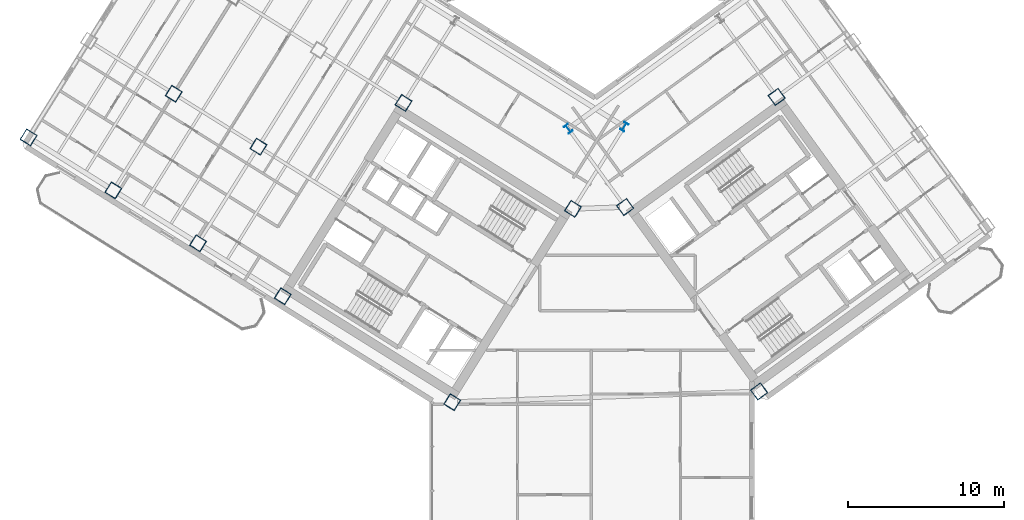
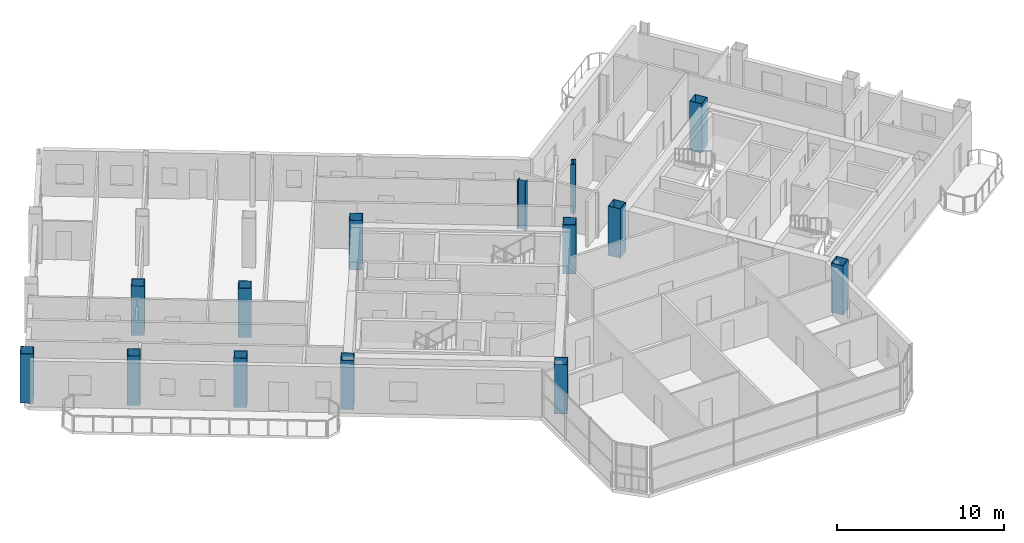
# One storey, part 1 of 20: 14 columns.
"""IFC4 building model written with IfcOpenShell, lengths in metres."""

import ifcopenshell
import ifcopenshell.guid

model = None  # the IFC model being written
_history = None  # IfcOwnerHistory: only IFC2X3 demands one
_inside = {}  # id of a spatial element -> (the spatial element, [elements in it])
_under = {}  # id of a project, library or spatial element -> (it, [spatial elements below it])
_declared = {}  # id of a project -> (the project, [libraries it declares])
_typed = {}  # id of a type object -> (the type object, [elements of that type])
_made_of = {}  # id of a material, layer set ... -> (it, [elements and type objects made of it])


def new_model(schema):
    """Start an empty IFC model of exactly this schema.

    Asked for "IFC4X3", IfcOpenShell would pick the latest addendum, in which some entities
    have other attributes; the version numbers below select the first issue.
    IFC2X3 requires an IfcOwnerHistory on every rooted entity: one is made here for all.
    """
    global model, _history
    if schema == "IFC4X3":
        model = ifcopenshell.file(schema_version=(4, 3, 0, 0))
    else:
        model = ifcopenshell.file(schema=schema)
    _inside.clear()
    _under.clear()
    _declared.clear()
    _typed.clear()
    _made_of.clear()
    _history = None
    if model.schema == "IFC2X3":
        org = make("IfcOrganization", Name="unknown")
        user = make(
            "IfcPersonAndOrganization",
            ThePerson=make("IfcPerson", FamilyName="unknown"),
            TheOrganization=org,
        )
        app = make(
            "IfcApplication",
            ApplicationDeveloper=org,
            Version="unknown",
            ApplicationFullName="unknown",
            ApplicationIdentifier="unknown",
        )
        _history = make(
            "IfcOwnerHistory",
            OwningUser=user,
            OwningApplication=app,
            ChangeAction="ADDED",
            CreationDate=0,
        )
    return model


def make(cls, **values):
    """One entity of the class cls with the attributes given. An attribute that is None is left unset."""
    return model.create_entity(
        cls, **{name: value for name, value in values.items() if value is not None}
    )


def rooted(cls, **values):
    """An entity with a GlobalId (a new one), such as an element, a storey or a relation."""
    return make(cls, GlobalId=ifcopenshell.guid.new(), OwnerHistory=_history, **values)


def si_unit(unit_type, name, prefix=None):
    """IfcSIUnit, for example si_unit("LENGTHUNIT", "METRE", prefix="MILLI")."""
    return make("IfcSIUnit", UnitType=unit_type, Prefix=prefix, Name=name)


def assignment(units):
    """IfcUnitAssignment: the units of a project."""
    return None if units is None else make("IfcUnitAssignment", Units=units)


def point(xyz):
    """IfcCartesianPoint."""
    return None if xyz is None else make("IfcCartesianPoint", Coordinates=xyz)


def direction(xyz):
    """IfcDirection."""
    return None if xyz is None else make("IfcDirection", DirectionRatios=xyz)


def frame(location, z_axis=None, x_axis=None):
    """IfcAxis2Placement3D, a coordinate frame: its origin and axes. An axis left out is left unset."""
    return make(
        "IfcAxis2Placement3D",
        Location=point(location),
        Axis=direction(z_axis),
        RefDirection=direction(x_axis),
    )


def frame_2d(location, x_axis=None):
    """IfcAxis2Placement2D, a coordinate frame in the plane: its origin and x axis."""
    return make(
        "IfcAxis2Placement2D", Location=point(location), RefDirection=direction(x_axis)
    )


def origin():
    """The frame at (0, 0, 0) with its axes left unset."""
    return frame((0.0, 0.0, 0.0))


def origin_2d():
    """The frame at (0, 0) in the plane with its x axis left unset."""
    return frame_2d((0.0, 0.0))


def place(relative_to, where):
    """IfcLocalPlacement: puts the frame where relative to a parent placement (None: the world)."""
    return make(
        "IfcLocalPlacement", PlacementRelTo=relative_to, RelativePlacement=where
    )


def context(
    kind, dimensions, precision=None, world=None, true_north=None, identifier=None
):
    """IfcGeometricRepresentationContext, for example the 3D "Model" context."""
    return make(
        "IfcGeometricRepresentationContext",
        ContextIdentifier=identifier,
        ContextType=kind,
        CoordinateSpaceDimension=dimensions,
        Precision=precision,
        WorldCoordinateSystem=world,
        TrueNorth=true_north,
    )


def subcontext(parent, identifier, kind, view, scale=None):
    """IfcGeometricRepresentationSubContext, for example "Body" below "Model"."""
    return make(
        "IfcGeometricRepresentationSubContext",
        ContextIdentifier=identifier,
        ContextType=kind,
        ParentContext=parent,
        TargetScale=scale,
        TargetView=view,
    )


def project(units=None, contexts=None):
    """IfcProject with its units and contexts."""
    return rooted(
        "IfcProject",
        Name="project",
        RepresentationContexts=contexts,
        UnitsInContext=assignment(units),
    )


def spatial(cls, under=None, at=None, **own):
    """A site, building, storey or space (cls), placed at a placement, below another one or the project."""
    s = rooted(cls, ObjectPlacement=at, **own)
    if under is not None:
        _under.setdefault(under.id(), (under, []))[1].append(s)
    return s


def profile(cls, at=None, kind="AREA", **sizes):
    """A parametric profile (cls). Its sizes go by their IFC names, for example OverallWidth=200.0."""
    return make(cls, ProfileType=kind, Position=at, **sizes)


def hollow_rectangle(**sizes):
    """IfcRectangleHollowProfileDef."""
    return profile("IfcRectangleHollowProfileDef", **sizes)


def i_section(**sizes):
    """IfcIShapeProfileDef."""
    return profile("IfcIShapeProfileDef", **sizes)


def extrude(swept, where, along, depth):
    """IfcExtrudedAreaSolid: the profile swept, set in the frame where, extruded along a direction by depth."""
    return make(
        "IfcExtrudedAreaSolid",
        SweptArea=swept,
        Position=where,
        ExtrudedDirection=direction(along),
        Depth=depth,
    )


def shape(context_of_items, identifier, shape_type, items):
    """IfcShapeRepresentation: the items that make up one representation, for example the "Body"."""
    return make(
        "IfcShapeRepresentation",
        ContextOfItems=context_of_items,
        RepresentationIdentifier=identifier,
        RepresentationType=shape_type,
        Items=items,
    )


def source(mapping_origin, context_of_items, identifier, shape_type, items):
    """IfcRepresentationMap: a shape defined once, which mapped items show again and again."""
    return make(
        "IfcRepresentationMap",
        MappingOrigin=mapping_origin,
        MappedRepresentation=shape(context_of_items, identifier, shape_type, items),
    )


def transform(
    local_origin,
    x_axis=None,
    y_axis=None,
    z_axis=None,
    scale=None,
    scale2=None,
    scale3=None,
    uniform=True,
):
    """IfcCartesianTransformationOperator3D, or its non-uniform kind. x_axis, y_axis, z_axis: its Axis1, 2, 3."""
    if uniform:
        return make(
            "IfcCartesianTransformationOperator3D",
            Axis1=direction(x_axis),
            Axis2=direction(y_axis),
            LocalOrigin=point(local_origin),
            Scale=scale,
            Axis3=direction(z_axis),
        )
    return make(
        "IfcCartesianTransformationOperator3DnonUniform",
        Axis1=direction(x_axis),
        Axis2=direction(y_axis),
        LocalOrigin=point(local_origin),
        Scale=scale,
        Axis3=direction(z_axis),
        Scale2=scale2,
        Scale3=scale3,
    )


def mapped(mapping_source, mapping_target):
    """IfcMappedItem: shows the shape of a source again, moved by a transform."""
    return make(
        "IfcMappedItem", MappingSource=mapping_source, MappingTarget=mapping_target
    )


def material(Name=None, Category=None):
    """IfcMaterial."""
    return make("IfcMaterial", Name=Name, Category=Category)


def material_profile(
    of_material, cross_section, Name=None, Category=None, Priority=None
):
    """IfcMaterialProfile: a cross section and its material."""
    return make(
        "IfcMaterialProfile",
        Name=Name,
        Material=of_material,
        Profile=cross_section,
        Priority=Priority,
        Category=Category,
    )


def profile_set(profiles, Name=None, composite=None):
    """IfcMaterialProfileSet."""
    return make(
        "IfcMaterialProfileSet",
        Name=Name,
        MaterialProfiles=profiles,
        CompositeProfile=composite,
    )


def made_of(thing, what):
    """Note that an element or type object is made of a material, layer set ...; save() writes the relation."""
    if what is not None:
        _made_of.setdefault(what.id(), (what, []))[1].append(thing)
    return thing


def type_object(cls, material=None, **own):
    """A type object (cls), such as IfcWallType, which elements share."""
    return made_of(rooted(cls, **own), material)


def element(
    cls,
    number,
    at=None,
    inside=None,
    cuts=None,
    type_object=None,
    material=None,
    context=None,
    identifier="Body",
    shape_type=None,
    held_by="IfcProductDefinitionShape",
    body=None,
    shapes=None,
    **own,
):
    """One element of the class cls, such as IfcWall. Its Tag is "e" and its number.

    at: its placement. inside: the storey or other place that contains it. cuts: it is an
    opening in that element (IfcRelVoidsElement). A single representation is given by context,
    identifier, shape_type and body (its items); several are given by shapes. held_by: the class
    of the entity that holds the representations. save() writes the other relations.
    """
    e = rooted(cls, Tag="e%d" % number, ObjectPlacement=at, **own)
    if body is not None:
        shapes = [shape(context, identifier, shape_type, body)]
    if shapes is not None:
        e.Representation = make(held_by, Representations=shapes)
    if inside is not None:
        _inside.setdefault(inside.id(), (inside, []))[1].append(e)
    if cuts is not None:
        rooted(
            "IfcRelVoidsElement", RelatingBuildingElement=cuts, RelatedOpeningElement=e
        )
    if type_object is not None:
        _typed.setdefault(type_object.id(), (type_object, []))[1].append(e)
    return made_of(e, material)


def aggregate(whole, parts):
    """IfcRelAggregates: a whole, such as a stair, and the parts it consists of."""
    return rooted("IfcRelAggregates", RelatingObject=whole, RelatedObjects=parts)


def save(model, path):
    """Write the relations noted so far, then the file.

    IfcRelAggregates (storeys below a building ...), IfcRelContainedInSpatialStructure (elements
    in a storey), IfcRelDefinesByType, IfcRelAssociatesMaterial and IfcRelDeclares: one each for
    every whole, place, type object, material and project.
    """
    for whole, parts in _under.values():
        aggregate(whole, parts)
    for where, things in _inside.values():
        rooted(
            "IfcRelContainedInSpatialStructure",
            RelatedElements=things,
            RelatingStructure=where,
        )
    for kind, things in _typed.values():
        rooted("IfcRelDefinesByType", RelatedObjects=things, RelatingType=kind)
    for what, things in _made_of.values():
        rooted("IfcRelAssociatesMaterial", RelatedObjects=things, RelatingMaterial=what)
    for by, libraries in _declared.values():
        rooted("IfcRelDeclares", RelatingContext=by, RelatedDefinitions=libraries)
    model.write(path)


model = new_model("IFC4")

# Units and contexts
model_context = context("Model", 3, precision=1e-05, world=origin(), true_north=direction((0.0, 1.0)))
body_context = subcontext(model_context, "Body", "Model", "MODEL_VIEW")
ifc_project = project(units=[si_unit("LENGTHUNIT", "METRE"), si_unit("AREAUNIT", "SQUARE_METRE"), si_unit("VOLUMEUNIT", "CUBIC_METRE"), si_unit("PLANEANGLEUNIT", "RADIAN"), si_unit("MASSUNIT", "GRAM", prefix="KILO")], contexts=[model_context])

# Site, building, storey
site_placement = place(None, origin())
site = spatial("IfcSite", under=ifc_project, at=site_placement, CompositionType="ELEMENT")
building_placement = place(site_placement, origin())
building = spatial("IfcBuilding", under=site, at=building_placement, Name="Tlacorven Tower", CompositionType="ELEMENT")
storey_placement = place(building_placement, frame((0.0, 0.0, 204.0)))
storey = spatial("IfcBuildingStorey", under=building, at=storey_placement, Name="L51", CompositionType="ELEMENT", Elevation=204.0)

# Columns
ifc_material = material(Name="Steel S460M", Category="steel")
ifc_material_profile_1 = material_profile(ifc_material, i_section(OverallWidth=0.300048828125, OverallDepth=0.550048828125, WebThickness=0.014892578125, FlangeThickness=0.029052734375, at=origin_2d()), Name="HEB 550")
ifc_profile_set_1 = profile_set([ifc_material_profile_1], Name="Steel S460M")
column_type_1 = type_object("IfcColumnType", Name="COL-TWR-P2", PredefinedType="COLUMN", material=ifc_profile_set_1)
shared_shape_1 = source(origin(), body_context, "Body", "SweptSolid", [
    extrude(i_section(OverallWidth=0.300048828125, OverallDepth=0.550048828125, WebThickness=0.014892578125, FlangeThickness=0.029052734375, at=origin_2d()), origin(), (0.0, 0.0, 1.0), 3.60009765625),
])
for number, where, z_axis, x_axis, name in (
    (1, (44.068359375, 29.726318359375, 0.0), (0.0, 0.0, 1.0), (-0.848048096156, 0.529919264233, 0.0), "L51 column COL-L51-W1-1"),
    (2, (40.4794921875, 29.60107421875, 0.0), (0.0, 0.0, 1.0), (0.809016994375, 0.587785252292, 0.0), "L51 column COL-L51-E1-4"),
):
    element("IfcColumn", number, at=place(storey_placement, frame(where, z_axis=z_axis, x_axis=x_axis)), inside=storey, type_object=column_type_1, Name=name, PredefinedType="COLUMN", context=body_context, shape_type="MappedRepresentation", body=[
        mapped(shared_shape_1, transform((0.0, 0.0, 0.0), scale=1.0)),
    ])
ifc_material_profile_2 = material_profile(ifc_material, hollow_rectangle(XDim=0.800048828125, YDim=0.800048828125, WallThickness=0.031982421875, at=origin_2d()), Name="BOX 800X800X32")
ifc_profile_set_2 = profile_set([ifc_material_profile_2], Name="Steel S460M")
column_type_2 = type_object("IfcColumnType", Name="COL-TWR-S3", PredefinedType="COLUMN", material=ifc_profile_set_2)
shared_shape_2 = source(origin(), body_context, "Body", "SweptSolid", [
    extrude(hollow_rectangle(XDim=0.800048828125, YDim=0.800048828125, WallThickness=0.031982421875, at=origin_2d()), origin(), (0.0, 0.0, 1.0), 3.60009765625),
])
for number, where, z_axis, x_axis, name in (
    (3, (40.782958984375, 24.468505859375, 0.0), (0.0, 0.0, 1.0), (-0.848048096156, 0.529919264233, 0.0), "L51 column COL-L51-W1-2"),
    (4, (33.046142578125, 12.0869140625, 0.0), (0.0, 0.0, 1.0), (-0.848048096156, 0.529919264233, 0.0), "L51 column COL-L51-W1-4"),
    (5, (29.927978515625, 31.25146484375, 0.0), (0.0, 0.0, 1.0), (-0.848048096156, 0.529919264233, 0.0), "L51 column COL-L51-W3-2"),
    (6, (22.191162109375, 18.869873046875, 0.0), (0.0, 0.0, 1.0), (-0.848048096156, 0.529919264233, 0.0), "L51 column COL-L51-W3-4"),
    (7, (20.632080078125, 28.4521484375, 0.0), (0.0, 0.0, 1.0), (-0.848048096156, 0.529919264233, 0.0), "L51 column COL-L51-W4-3"),
    (8, (16.763671875, 22.26123046875, 0.0), (0.0, 0.0, 1.0), (-0.848048096156, 0.529919264233, 0.0), "L51 column COL-L51-W4-4"),
    (9, (15.20458984375, 31.843505859375, 0.0), (0.0, 0.0, 1.0), (-0.848048096156, 0.529919264233, 0.0), "L51 column COL-L51-W5-3"),
    (10, (11.336181640625, 25.65283203125, 0.0), (0.0, 0.0, 1.0), (-0.848048096156, 0.529919264233, 0.0), "L51 column COL-L51-W5-4"),
    (11, (5.90869140625, 29.044189453125, 0.0), (0.0, 0.0, 1.0), (-0.848048096156, 0.529919264233, 0.0), "L51 column COL-L51-W6-4"),
    (12, (52.705322265625, 12.7734375, 0.0), (0.0, 0.0, 1.0), (0.809016994375, 0.587785252292, 0.0), "L51 column COL-L51-E1-1"),
    (13, (44.123779296875, 24.5849609375, 0.0), (0.0, 0.0, 1.0), (0.809016994375, 0.587785252292, 0.0), "L51 column COL-L51-E1-3"),
    (14, (53.83203125, 31.638427734375, 0.0), (0.0, 0.0, 1.0), (0.809016994375, 0.587785252292, 0.0), "L51 column COL-L51-E3-3"),
):
    element("IfcColumn", number, at=place(storey_placement, frame(where, z_axis=z_axis, x_axis=x_axis)), inside=storey, type_object=column_type_2, Name=name, PredefinedType="COLUMN", context=body_context, shape_type="MappedRepresentation", body=[
        mapped(shared_shape_2, transform((0.0, 0.0, 0.0), scale=1.0)),
    ])

save(model, "model.ifc")
